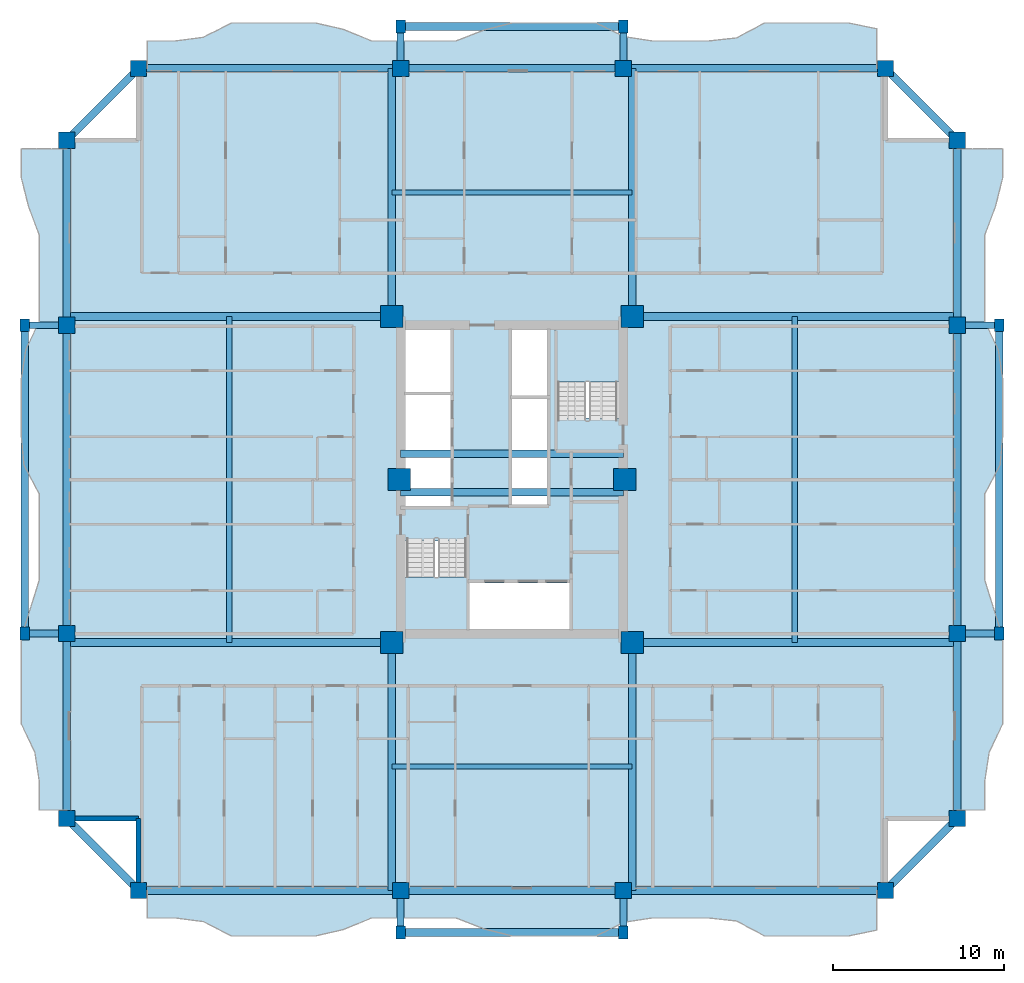
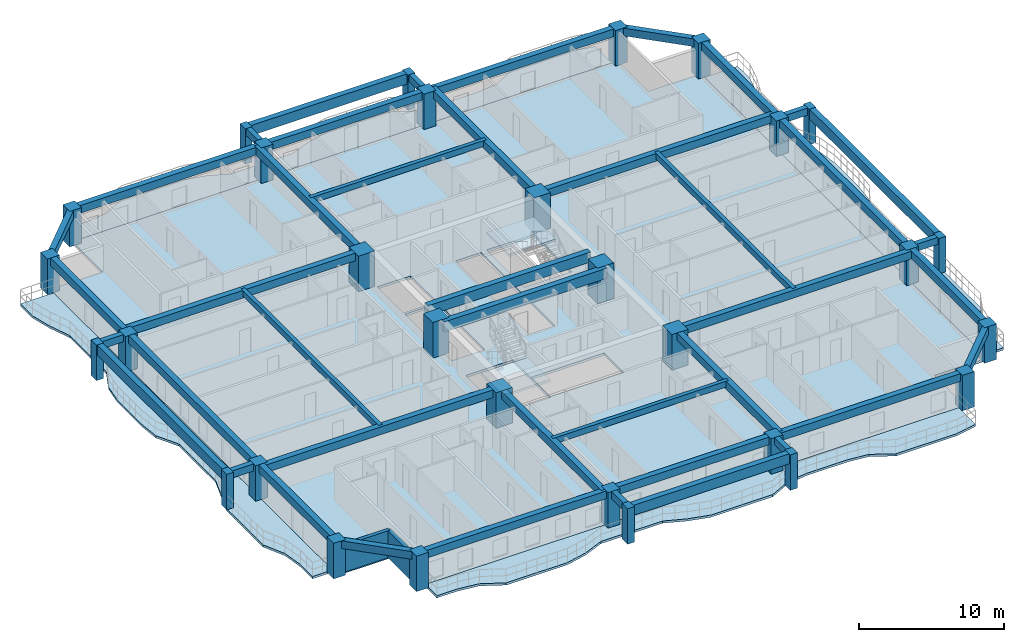
# One storey, part 1 of 13: 42 beams, 30 columns, 7 slabs, 2 walls, 2 elements without a shape of their own.
"""IFC4 building model written with IfcOpenShell, lengths in metres."""

from ifc_helpers import new_model, si_unit, direction, frame, frame_2d, origin, origin_2d, place, context, subcontext, project, spatial, polyline, rectangle, outline, extrude, source, transform, mapped, material, layer, layer_set, material_profile, profile_set, type_object, element, aggregate, save


model = new_model("IFC4")

# Units and contexts
model_context = context("Model", 3, precision=1e-05, world=origin(), true_north=direction((0.0, 1.0)))
body_context = subcontext(model_context, "Body", "Model", "MODEL_VIEW")
ifc_project = project(units=[si_unit("LENGTHUNIT", "METRE"), si_unit("AREAUNIT", "SQUARE_METRE"), si_unit("VOLUMEUNIT", "CUBIC_METRE"), si_unit("PLANEANGLEUNIT", "RADIAN"), si_unit("MASSUNIT", "GRAM", prefix="KILO")], contexts=[model_context])

# Site, building, storey
site_placement = place(None, origin())
site = spatial("IfcSite", under=ifc_project, at=site_placement, CompositionType="ELEMENT")
building_placement = place(site_placement, origin())
building = spatial("IfcBuilding", under=site, at=building_placement, Name="Saelheon Loggia Tower", CompositionType="ELEMENT")
storey_placement = place(building_placement, frame((0.0, 0.0, 83.85009765625)))
storey = spatial("IfcBuildingStorey", under=building, at=storey_placement, Name="L26", CompositionType="ELEMENT", Elevation=83.85009765625)

# Columns
ifc_material_1 = material(Name="Precast Concrete C45/55", Category="concrete")
ifc_material_profile_1 = material_profile(ifc_material_1, rectangle(XDim=0.550048828125, YDim=0.75, at=origin_2d()), Name="RC-550x750")
ifc_profile_set_1 = profile_set([ifc_material_profile_1], Name="Precast Concrete C45/55")
column_type_1 = type_object("IfcColumnType", Name="Col_Loggia_Pilaster_750", PredefinedType="PILASTER", material=ifc_profile_set_1)
shared_shape_1 = source(origin(), body_context, "Body", "SweptSolid", [
    extrude(rectangle(XDim=0.550048828125, YDim=0.75, at=origin_2d()), origin(), (0.0, 0.0, 1.0), 3.0),
])
for number, where, z_axis, x_axis, name in (
    (1, (31.5, 0.550048828125, 0.0), (0.0, 0.0, 1.0), (1.0, 0.0, 0.0), "L26 Loggia Frame Pilaster LP-S1"),
    (2, (44.5, 0.550048828125, 0.0), (0.0, 0.0, 1.0), (1.0, 0.0, 0.0), "L26 Loggia Frame Pilaster LP-S2"),
    (3, (31.5, 53.449951171875, 0.0), (0.0, 0.0, 1.0), (1.0, 0.0, 0.0), "L26 Loggia Frame Pilaster LP-N1"),
    (4, (44.5, 53.449951171875, 0.0), (0.0, 0.0, 1.0), (1.0, 0.0, 0.0), "L26 Loggia Frame Pilaster LP-N2"),
    (5, (66.449951171875, 18.0, 0.0), (0.0, 0.0, 1.0), (1.0, 0.0, 0.0), "L26 Loggia Frame Pilaster LP-E1"),
    (6, (66.449951171875, 36.0, 0.0), (0.0, 0.0, 1.0), (1.0, 0.0, 0.0), "L26 Loggia Frame Pilaster LP-E2"),
    (7, (9.550048828125, 18.0, 0.0), (0.0, 0.0, 1.0), (1.0, 0.0, 0.0), "L26 Loggia Frame Pilaster LP-W1"),
    (8, (9.550048828125, 36.0, 0.0), (0.0, 0.0, 1.0), (1.0, 0.0, 0.0), "L26 Loggia Frame Pilaster LP-W2"),
):
    element("IfcColumn", number, at=place(storey_placement, frame(where, z_axis=z_axis, x_axis=x_axis)), inside=storey, type_object=column_type_1, Name=name, PredefinedType="PILASTER", context=body_context, shape_type="MappedRepresentation", body=[
        mapped(shared_shape_1, transform((0.0, 0.0, 0.0), scale=1.0)),
    ])
ifc_material_2 = material(Name="Concrete C60/75", Category="concrete")
ifc_material_profile_2 = material_profile(ifc_material_2, rectangle(XDim=1.300048828125, YDim=1.300048828125, at=origin_2d()), Name="RC-1300x1300")
ifc_profile_set_2 = profile_set([ifc_material_profile_2], Name="Concrete C60/75")
column_type_2 = type_object("IfcColumnType", Name="Col_Core_RC1300", PredefinedType="COLUMN", material=ifc_profile_set_2)
shared_shape_2 = source(origin(), body_context, "Body", "SweptSolid", [
    extrude(rectangle(XDim=1.300048828125, YDim=1.300048828125, at=origin_2d()), origin(), (0.0, 0.0, 1.0), 3.0),
])
for number, where, z_axis, x_axis, name in (
    (9, (30.97998046875, 17.47998046875, 0.0), (0.0, 0.0, 1.0), (1.0, 0.0, 0.0), "L26 Core Column CR-SW"),
    (10, (45.02001953125, 17.47998046875, 0.0), (0.0, 0.0, 1.0), (1.0, 0.0, 0.0), "L26 Core Column CR-SE"),
    (11, (30.97998046875, 36.52001953125, 0.0), (0.0, 0.0, 1.0), (1.0, 0.0, 0.0), "L26 Core Column CR-NW"),
    (12, (45.02001953125, 36.52001953125, 0.0), (0.0, 0.0, 1.0), (1.0, 0.0, 0.0), "L26 Core Column CR-NE"),
    (13, (31.419921875, 27.0, 0.0), (0.0, 0.0, 1.0), (1.0, 0.0, 0.0), "L26 Core Column CR-MW"),
    (14, (44.580078125, 27.0, 0.0), (0.0, 0.0, 1.0), (1.0, 0.0, 0.0), "L26 Core Column CR-ME"),
):
    element("IfcColumn", number, at=place(storey_placement, frame(where, z_axis=z_axis, x_axis=x_axis)), inside=storey, type_object=column_type_2, Name=name, PredefinedType="COLUMN", context=body_context, shape_type="MappedRepresentation", body=[
        mapped(shared_shape_2, transform((0.0, 0.0, 0.0), scale=1.0)),
    ])
ifc_material_3 = material(Name="Concrete C50/60", Category="concrete")
ifc_material_profile_3 = material_profile(ifc_material_3, rectangle(XDim=0.949951171875, YDim=0.949951171875, at=origin_2d()), Name="RC-950x950")
ifc_profile_set_3 = profile_set([ifc_material_profile_3], Name="Concrete C50/60")
column_type_3 = type_object("IfcColumnType", Name="Col_Perim_RC950", PredefinedType="COLUMN", material=ifc_profile_set_3)
shared_shape_3 = source(origin(), body_context, "Body", "SweptSolid", [
    extrude(rectangle(XDim=0.949951171875, YDim=0.949951171875, at=origin_2d()), origin(), (0.0, 0.0, 1.0), 3.0),
])
for number, where, z_axis, x_axis, name in (
    (15, (16.199951171875, 3.0, 0.0), (0.0, 0.0, 1.0), (1.0, 0.0, 0.0), "L26 Perimeter Column TP-S1"),
    (16, (31.5, 3.0, 0.0), (0.0, 0.0, 1.0), (1.0, 0.0, 0.0), "L26 Perimeter Column TP-SA"),
    (17, (44.5, 3.0, 0.0), (0.0, 0.0, 1.0), (1.0, 0.0, 0.0), "L26 Perimeter Column TP-SB"),
    (18, (59.800048828125, 3.0, 0.0), (0.0, 0.0, 1.0), (1.0, 0.0, 0.0), "L26 Perimeter Column TP-S2"),
    (19, (64.0, 7.199951171875, 0.0), (0.0, 0.0, 1.0), (1.0, 0.0, 0.0), "L26 Perimeter Column TP-E1"),
    (20, (64.0, 18.0, 0.0), (0.0, 0.0, 1.0), (1.0, 0.0, 0.0), "L26 Perimeter Column TP-EA"),
    (21, (64.0, 36.0, 0.0), (0.0, 0.0, 1.0), (1.0, 0.0, 0.0), "L26 Perimeter Column TP-EB"),
    (22, (64.0, 46.800048828125, 0.0), (0.0, 0.0, 1.0), (1.0, 0.0, 0.0), "L26 Perimeter Column TP-E2"),
    (23, (59.800048828125, 51.0, 0.0), (0.0, 0.0, 1.0), (1.0, 0.0, 0.0), "L26 Perimeter Column TP-N2"),
    (24, (44.5, 51.0, 0.0), (0.0, 0.0, 1.0), (1.0, 0.0, 0.0), "L26 Perimeter Column TP-NB"),
    (25, (31.5, 51.0, 0.0), (0.0, 0.0, 1.0), (1.0, 0.0, 0.0), "L26 Perimeter Column TP-NA"),
    (26, (16.199951171875, 51.0, 0.0), (0.0, 0.0, 1.0), (1.0, 0.0, 0.0), "L26 Perimeter Column TP-N1"),
    (27, (12.0, 46.800048828125, 0.0), (0.0, 0.0, 1.0), (1.0, 0.0, 0.0), "L26 Perimeter Column TP-W2"),
    (28, (12.0, 36.0, 0.0), (0.0, 0.0, 1.0), (1.0, 0.0, 0.0), "L26 Perimeter Column TP-WB"),
    (29, (12.0, 18.0, 0.0), (0.0, 0.0, 1.0), (1.0, 0.0, 0.0), "L26 Perimeter Column TP-WA"),
    (30, (12.0, 7.199951171875, 0.0), (0.0, 0.0, 1.0), (1.0, 0.0, 0.0), "L26 Perimeter Column TP-W1"),
):
    element("IfcColumn", number, at=place(storey_placement, frame(where, z_axis=z_axis, x_axis=x_axis)), inside=storey, type_object=column_type_3, Name=name, PredefinedType="COLUMN", context=body_context, shape_type="MappedRepresentation", body=[
        mapped(shared_shape_3, transform((0.0, 0.0, 0.0), scale=1.0)),
    ])

# Beams
ifc_material_profile_4 = material_profile(ifc_material_3, rectangle(XDim=0.449951171875, YDim=0.85009765625, at=origin_2d()), Name="RC-450x850")
ifc_profile_set_4 = profile_set([ifc_material_profile_4], Name="Concrete C50/60")
beam_type_1 = type_object("IfcBeamType", Name="Beam_CoreLintel_RC450x850", PredefinedType="LINTEL", material=ifc_profile_set_4)
shared_shape_4 = source(origin(), body_context, "Body", "SweptSolid", [
    extrude(rectangle(XDim=0.449951171875, YDim=0.85009765625, at=origin_2d()), origin(), (0.0, 0.0, 1.0), 13.0),
])
for number, where, z_axis, x_axis, name in (
    (31, (31.5, 26.25, 2.574951171875), (1.0, 0.0, 0.0), (0.0, 1.0, 0.0), "L26 Core Coupling Lintel 1"),
    (32, (31.5, 28.5, 2.574951171875), (1.0, 0.0, 0.0), (0.0, 1.0, 0.0), "L26 Core Coupling Lintel 2"),
):
    element("IfcBeam", number, at=place(storey_placement, frame(where, z_axis=z_axis, x_axis=x_axis)), inside=storey, type_object=beam_type_1, Name=name, PredefinedType="LINTEL", context=body_context, shape_type="MappedRepresentation", body=[
        mapped(shared_shape_4, transform((0.0, 0.0, 0.0), scale=1.0)),
    ])
ifc_material_profile_5 = material_profile(ifc_material_1, rectangle(XDim=0.449951171875, YDim=0.85009765625, at=origin_2d()), Name="RC-450x850")
ifc_profile_set_5 = profile_set([ifc_material_profile_5], Name="Precast Concrete C45/55")
beam_type_2 = type_object("IfcBeamType", Name="Beam_LoggiaSpandrel_RC450x850", PredefinedType="SPANDREL", material=ifc_profile_set_5)
for number, where, z_axis, x_axis, name in (
    (33, (31.5, 0.550048828125, 2.574951171875), (1.0, 0.0, 0.0), (0.0, 1.0, 0.0), "L26 Loggia Spandrel Beam S"),
    (34, (31.5, 53.449951171875, 2.574951171875), (1.0, 0.0, 0.0), (0.0, 1.0, 0.0), "L26 Loggia Spandrel Beam N"),
):
    element("IfcBeam", number, at=place(storey_placement, frame(where, z_axis=z_axis, x_axis=x_axis)), inside=storey, type_object=beam_type_2, Name=name, PredefinedType="SPANDREL", context=body_context, shape_type="MappedRepresentation", body=[
        mapped(shared_shape_4, transform((0.0, 0.0, 0.0), scale=1.0)),
    ])
ifc_material_profile_6 = material_profile(ifc_material_1, rectangle(XDim=0.39990234375, YDim=0.60009765625, at=origin_2d()), Name="RC-400x600")
ifc_profile_set_6 = profile_set([ifc_material_profile_6], Name="Precast Concrete C45/55")
beam_type_3 = type_object("IfcBeamType", Name="Beam_LoggiaTie_RC400x600", PredefinedType="BEAM", material=ifc_profile_set_6)
shared_shape_5 = source(origin(), body_context, "Body", "SweptSolid", [
    extrude(rectangle(XDim=0.39990234375, YDim=0.60009765625, at=origin_2d()), origin(), (0.0, 0.0, 1.0), 2.449951171875),
])
for number, where, z_axis, x_axis, name in (
    (35, (31.5, 3.0, 2.699951171875), (0.0, -1.0, 0.0), (1.0, 0.0, 0.0), "L26 Loggia Frame Tie Beam LP-S1"),
    (36, (44.5, 3.0, 2.699951171875), (0.0, -1.0, 0.0), (1.0, 0.0, 0.0), "L26 Loggia Frame Tie Beam LP-S2"),
    (37, (31.5, 51.0, 2.699951171875), (0.0, 1.0, 0.0), (-1.0, 0.0, 0.0), "L26 Loggia Frame Tie Beam LP-N1"),
    (38, (44.5, 51.0, 2.699951171875), (0.0, 1.0, 0.0), (-1.0, 0.0, 0.0), "L26 Loggia Frame Tie Beam LP-N2"),
    (39, (64.0, 18.0, 2.699951171875), (1.0, 0.0, 0.0), (0.0, 1.0, 0.0), "L26 Loggia Frame Tie Beam LP-E1"),
    (40, (64.0, 36.0, 2.699951171875), (1.0, 0.0, 0.0), (0.0, 1.0, 0.0), "L26 Loggia Frame Tie Beam LP-E2"),
    (41, (12.0, 18.0, 2.699951171875), (-1.0, 0.0, 0.0), (0.0, -1.0, 0.0), "L26 Loggia Frame Tie Beam LP-W1"),
    (42, (12.0, 36.0, 2.699951171875), (-1.0, 0.0, 0.0), (0.0, -1.0, 0.0), "L26 Loggia Frame Tie Beam LP-W2"),
):
    element("IfcBeam", number, at=place(storey_placement, frame(where, z_axis=z_axis, x_axis=x_axis)), inside=storey, type_object=beam_type_3, Name=name, PredefinedType="BEAM", context=body_context, shape_type="MappedRepresentation", body=[
        mapped(shared_shape_5, transform((0.0, 0.0, 0.0), scale=1.0)),
    ])
shared_shape_6 = source(origin(), body_context, "Body", "SweptSolid", [
    extrude(rectangle(XDim=0.449951171875, YDim=0.85009765625, at=origin_2d()), origin(), (0.0, 0.0, 1.0), 18.0),
])
for number, where, z_axis, x_axis, name in (
    (43, (66.449951171875, 18.0, 2.574951171875), (0.0, 1.0, 0.0), (-1.0, 0.0, 0.0), "L26 Loggia Spandrel Beam E"),
    (44, (9.550048828125, 18.0, 2.574951171875), (0.0, 1.0, 0.0), (-1.0, 0.0, 0.0), "L26 Loggia Spandrel Beam W"),
):
    element("IfcBeam", number, at=place(storey_placement, frame(where, z_axis=z_axis, x_axis=x_axis)), inside=storey, type_object=beam_type_2, Name=name, PredefinedType="SPANDREL", context=body_context, shape_type="MappedRepresentation", body=[
        mapped(shared_shape_6, transform((0.0, 0.0, 0.0), scale=1.0)),
    ])
ifc_material_4 = material(Name="Concrete C40/50", Category="concrete")
ifc_material_profile_7 = material_profile(ifc_material_4, rectangle(XDim=0.449951171875, YDim=0.64990234375, at=origin_2d()), Name="RC-450x650")
ifc_profile_set_7 = profile_set([ifc_material_profile_7], Name="Concrete C40/50")
beam_type_4 = type_object("IfcBeamType", Name="Beam_PerimTower_RC450x650", PredefinedType="BEAM", material=ifc_profile_set_7)
shared_shape_7 = source(origin(), body_context, "Body", "SweptSolid", [
    extrude(rectangle(XDim=0.449951171875, YDim=0.64990234375, at=origin_2d()), origin(), (0.0, 0.0, 1.0), 15.300048828125),
])
for number, where, z_axis, x_axis, name in (
    (45, (16.199951171875, 3.0, 2.6748046875), (1.0, 0.0, 0.0), (0.0, 1.0, 0.0), "L26 Perimeter Frame Girder 01"),
    (46, (44.5, 3.0, 2.6748046875), (1.0, 0.0, 0.0), (0.0, 1.0, 0.0), "L26 Perimeter Frame Girder 03"),
    (47, (59.800048828125, 51.0, 2.6748046875), (-1.0, 0.0, 0.0), (0.0, -1.0, 0.0), "L26 Perimeter Frame Girder 09"),
    (48, (31.5, 51.0, 2.6748046875), (-1.0, 0.0, 0.0), (0.0, -1.0, 0.0), "L26 Perimeter Frame Girder 11"),
):
    element("IfcBeam", number, at=place(storey_placement, frame(where, z_axis=z_axis, x_axis=x_axis)), inside=storey, type_object=beam_type_4, Name=name, PredefinedType="BEAM", context=body_context, shape_type="MappedRepresentation", body=[
        mapped(shared_shape_7, transform((0.0, 0.0, 0.0), scale=1.0)),
    ])
shared_shape_8 = source(origin(), body_context, "Body", "SweptSolid", [
    extrude(rectangle(XDim=0.449951171875, YDim=0.64990234375, at=origin_2d()), origin(), (0.0, 0.0, 1.0), 13.0),
])
for number, where, z_axis, x_axis, name in (
    (49, (31.5, 3.0, 2.6748046875), (1.0, 0.0, 0.0), (0.0, 1.0, 0.0), "L26 Perimeter Frame Girder 02"),
    (50, (44.5, 51.0, 2.6748046875), (-1.0, 0.0, 0.0), (0.0, -1.0, 0.0), "L26 Perimeter Frame Girder 10"),
):
    element("IfcBeam", number, at=place(storey_placement, frame(where, z_axis=z_axis, x_axis=x_axis)), inside=storey, type_object=beam_type_4, Name=name, PredefinedType="BEAM", context=body_context, shape_type="MappedRepresentation", body=[
        mapped(shared_shape_8, transform((0.0, 0.0, 0.0), scale=1.0)),
    ])
shared_shape_9 = source(origin(), body_context, "Body", "SweptSolid", [
    extrude(rectangle(XDim=0.449951171875, YDim=0.64990234375, at=origin_2d()), origin(), (0.0, 0.0, 1.0), 5.939697265625),
])
for number, where, z_axis, x_axis, name in (
    (51, (59.800048828125, 3.0, 2.6748046875), (0.707106781187, 0.707106781187, 0.0), (-0.707106781187, 0.707106781187, 0.0), "L26 Perimeter Frame Girder 04"),
    (52, (64.0, 46.800048828125, 2.6748046875), (-0.707106781187, 0.707106781187, 0.0), (-0.707106781187, -0.707106781187, 0.0), "L26 Perimeter Frame Girder 08"),
    (53, (16.199951171875, 51.0, 2.6748046875), (-0.707106781187, -0.707106781187, 0.0), (0.707106781187, -0.707106781187, 0.0), "L26 Perimeter Frame Girder 12"),
    (54, (12.0, 7.199951171875, 2.6748046875), (0.707106781187, -0.707106781187, 0.0), (0.707106781187, 0.707106781187, 0.0), "L26 Perimeter Frame Girder 16"),
):
    element("IfcBeam", number, at=place(storey_placement, frame(where, z_axis=z_axis, x_axis=x_axis)), inside=storey, type_object=beam_type_4, Name=name, PredefinedType="BEAM", context=body_context, shape_type="MappedRepresentation", body=[
        mapped(shared_shape_9, transform((0.0, 0.0, 0.0), scale=1.0)),
    ])
shared_shape_10 = source(origin(), body_context, "Body", "SweptSolid", [
    extrude(rectangle(XDim=0.449951171875, YDim=0.64990234375, at=origin_2d()), origin(), (0.0, 0.0, 1.0), 10.800048828125),
])
for number, where, z_axis, x_axis, name in (
    (55, (64.0, 7.199951171875, 2.6748046875), (0.0, 1.0, 0.0), (-1.0, 0.0, 0.0), "L26 Perimeter Frame Girder 05"),
    (56, (64.0, 36.0, 2.6748046875), (0.0, 1.0, 0.0), (-1.0, 0.0, 0.0), "L26 Perimeter Frame Girder 07"),
    (57, (12.0, 46.800048828125, 2.6748046875), (0.0, -1.0, 0.0), (1.0, 0.0, 0.0), "L26 Perimeter Frame Girder 13"),
    (58, (12.0, 18.0, 2.6748046875), (0.0, -1.0, 0.0), (1.0, 0.0, 0.0), "L26 Perimeter Frame Girder 15"),
):
    element("IfcBeam", number, at=place(storey_placement, frame(where, z_axis=z_axis, x_axis=x_axis)), inside=storey, type_object=beam_type_4, Name=name, PredefinedType="BEAM", context=body_context, shape_type="MappedRepresentation", body=[
        mapped(shared_shape_10, transform((0.0, 0.0, 0.0), scale=1.0)),
    ])
shared_shape_11 = source(origin(), body_context, "Body", "SweptSolid", [
    extrude(rectangle(XDim=0.449951171875, YDim=0.64990234375, at=origin_2d()), origin(), (0.0, 0.0, 1.0), 18.0),
])
for number, where, z_axis, x_axis, name in (
    (59, (64.0, 18.0, 2.6748046875), (0.0, 1.0, 0.0), (-1.0, 0.0, 0.0), "L26 Perimeter Frame Girder 06"),
    (60, (12.0, 36.0, 2.6748046875), (0.0, -1.0, 0.0), (1.0, 0.0, 0.0), "L26 Perimeter Frame Girder 14"),
):
    element("IfcBeam", number, at=place(storey_placement, frame(where, z_axis=z_axis, x_axis=x_axis)), inside=storey, type_object=beam_type_4, Name=name, PredefinedType="BEAM", context=body_context, shape_type="MappedRepresentation", body=[
        mapped(shared_shape_11, transform((0.0, 0.0, 0.0), scale=1.0)),
    ])
ifc_material_profile_8 = material_profile(ifc_material_4, rectangle(XDim=0.449951171875, YDim=0.64990234375, at=origin_2d()), Name="RC-450x650")
ifc_profile_set_8 = profile_set([ifc_material_profile_8], Name="Concrete C40/50")
beam_type_5 = type_object("IfcBeamType", Name="Beam_TowerGirder_RC450x650", PredefinedType="BEAM", material=ifc_profile_set_8)
shared_shape_12 = source(origin(), body_context, "Body", "SweptSolid", [
    extrude(rectangle(XDim=0.449951171875, YDim=0.64990234375, at=origin_2d()), origin(), (0.0, 0.0, 1.0), 14.47998046875),
])
for number, where, z_axis, x_axis, name in (
    (61, (30.97998046875, 17.47998046875, 2.6748046875), (0.0, -1.0, 0.0), (1.0, 0.0, 0.0), "L26 Radial Floor Girder RAD-SW-S"),
    (62, (45.02001953125, 17.47998046875, 2.6748046875), (0.0, -1.0, 0.0), (1.0, 0.0, 0.0), "L26 Radial Floor Girder RAD-SE-S"),
    (63, (30.97998046875, 36.52001953125, 2.6748046875), (0.0, 1.0, 0.0), (-1.0, 0.0, 0.0), "L26 Radial Floor Girder RAD-NW-N"),
    (64, (45.02001953125, 36.52001953125, 2.6748046875), (0.0, 1.0, 0.0), (-1.0, 0.0, 0.0), "L26 Radial Floor Girder RAD-NE-N"),
):
    element("IfcBeam", number, at=place(storey_placement, frame(where, z_axis=z_axis, x_axis=x_axis)), inside=storey, type_object=beam_type_5, Name=name, PredefinedType="BEAM", context=body_context, shape_type="MappedRepresentation", body=[
        mapped(shared_shape_12, transform((0.0, 0.0, 0.0), scale=1.0)),
    ])
shared_shape_13 = source(origin(), body_context, "Body", "SweptSolid", [
    extrude(rectangle(XDim=0.449951171875, YDim=0.64990234375, at=origin_2d()), origin(), (0.0, 0.0, 1.0), 18.97998046875),
])
for number, where, z_axis, x_axis, name in (
    (65, (30.97998046875, 17.47998046875, 2.6748046875), (-1.0, 0.0, 0.0), (0.0, -1.0, 0.0), "L26 Radial Floor Girder RAD-SW-W"),
    (66, (30.97998046875, 36.52001953125, 2.6748046875), (-1.0, 0.0, 0.0), (0.0, -1.0, 0.0), "L26 Radial Floor Girder RAD-NW-W"),
    (67, (45.02001953125, 17.47998046875, 2.6748046875), (1.0, 0.0, 0.0), (0.0, 1.0, 0.0), "L26 Radial Floor Girder RAD-SE-E"),
    (68, (45.02001953125, 36.52001953125, 2.6748046875), (1.0, 0.0, 0.0), (0.0, 1.0, 0.0), "L26 Radial Floor Girder RAD-NE-E"),
):
    element("IfcBeam", number, at=place(storey_placement, frame(where, z_axis=z_axis, x_axis=x_axis)), inside=storey, type_object=beam_type_5, Name=name, PredefinedType="BEAM", context=body_context, shape_type="MappedRepresentation", body=[
        mapped(shared_shape_13, transform((0.0, 0.0, 0.0), scale=1.0)),
    ])
ifc_material_profile_9 = material_profile(ifc_material_4, rectangle(XDim=0.300048828125, YDim=0.5, at=origin_2d()), Name="RC-300x500")
ifc_profile_set_9 = profile_set([ifc_material_profile_9], Name="Concrete C40/50")
beam_type_6 = type_object("IfcBeamType", Name="Beam_Joist_RC300x500", PredefinedType="JOIST", material=ifc_profile_set_9)
shared_shape_14 = source(origin(), body_context, "Body", "SweptSolid", [
    extrude(rectangle(XDim=0.300048828125, YDim=0.5, at=origin_2d()), origin(), (0.0, 0.0, 1.0), 14.0400390625),
])
for number, where, z_axis, x_axis, name in (
    (69, (30.97998046875, 10.239990234375, 2.75), (1.0, 0.0, 0.0), (0.0, 1.0, 0.0), "L26 South Floor Joist"),
    (70, (30.97998046875, 43.760009765625, 2.75), (1.0, 0.0, 0.0), (0.0, 1.0, 0.0), "L26 North Floor Joist"),
):
    element("IfcBeam", number, at=place(storey_placement, frame(where, z_axis=z_axis, x_axis=x_axis)), inside=storey, type_object=beam_type_6, Name=name, PredefinedType="JOIST", context=body_context, shape_type="MappedRepresentation", body=[
        mapped(shared_shape_14, transform((0.0, 0.0, 0.0), scale=1.0)),
    ])
shared_shape_15 = source(origin(), body_context, "Body", "SweptSolid", [
    extrude(rectangle(XDim=0.300048828125, YDim=0.5, at=origin_2d()), origin(), (0.0, 0.0, 1.0), 19.0400390625),
])
for number, where, z_axis, x_axis, name in (
    (71, (21.489990234375, 17.47998046875, 2.75), (0.0, 1.0, 0.0), (-1.0, 0.0, 0.0), "L26 West Floor Joist"),
    (72, (54.510009765625, 17.47998046875, 2.75), (0.0, 1.0, 0.0), (-1.0, 0.0, 0.0), "L26 East Floor Joist"),
):
    element("IfcBeam", number, at=place(storey_placement, frame(where, z_axis=z_axis, x_axis=x_axis)), inside=storey, type_object=beam_type_6, Name=name, PredefinedType="JOIST", context=body_context, shape_type="MappedRepresentation", body=[
        mapped(shared_shape_15, transform((0.0, 0.0, 0.0), scale=1.0)),
    ])

# Slabs
ifc_layer_1 = layer(ifc_material_1, 0.18994140625)
ifc_layer_set_1 = layer_set([ifc_layer_1], Name="Precast Concrete C45/55")
slab_type_1 = type_object("IfcSlabType", Name="Slab_Loggia_Ext_190", PredefinedType="FLOOR", material=ifc_layer_set_1)
slab_1_placement = place(storey_placement, frame((0.0, 0.0, -0.190185546875)))
element("IfcSlab", 73, at=slab_1_placement, inside=storey, type_object=slab_type_1, Name="L26 Loggia Balcony Slab S", PredefinedType="FLOOR", context=body_context, shape_type="SweptSolid", body=[
    extrude(outline(polyline([(16.699951171875, 1.39990234375), (18.33837890625, 1.39990234375), (19.976806640625, 1.185302734375), (21.615478515625, 0.35009765625), (23.25390625, 0.35009765625), (24.892333984375, 0.35009765625), (26.53076171875, 0.35009765625), (28.169189453125, 0.724609375), (29.8076171875, 1.39990234375), (31.4462890625, 1.39990234375), (33.084716796875, 1.39990234375), (34.72314453125, 1.39990234375), (36.361572265625, 0.76220703125), (38.0, 0.35009765625), (39.638427734375, 0.35009765625), (41.27685546875, 0.35009765625), (42.915283203125, 0.35009765625), (44.5537109375, 1.148681640625), (46.1923828125, 1.39990234375), (47.830810546875, 1.39990234375), (49.46923828125, 1.39990234375), (51.107666015625, 1.2216796875), (52.74609375, 0.35009765625), (54.384521484375, 0.35009765625), (56.023193359375, 0.35009765625), (57.66162109375, 0.35009765625), (59.300048828125, 0.687255859375), (59.300048828125, 3.0), (16.699951171875, 3.0), (16.699951171875, 1.39990234375)])), origin(), (0.0, 0.0, 1.0), 0.190185546875),
])
slab_2_placement = place(storey_placement, frame((0.0, 0.0, -0.190185546875)))
element("IfcSlab", 74, at=slab_2_placement, inside=storey, type_object=slab_type_1, Name="L26 Loggia Balcony Slab N", PredefinedType="FLOOR", context=body_context, shape_type="SweptSolid", body=[
    extrude(outline(polyline([(16.699951171875, 51.0), (59.300048828125, 51.0), (59.300048828125, 53.312744140625), (57.66162109375, 53.64990234375), (56.023193359375, 53.64990234375), (54.384521484375, 53.64990234375), (52.74609375, 53.64990234375), (51.107666015625, 52.7783203125), (49.46923828125, 52.60009765625), (47.830810546875, 52.60009765625), (46.1923828125, 52.60009765625), (44.5537109375, 52.851318359375), (42.915283203125, 53.64990234375), (41.27685546875, 53.64990234375), (39.638427734375, 53.64990234375), (38.0, 53.64990234375), (36.361572265625, 53.23779296875), (34.72314453125, 52.60009765625), (33.084716796875, 52.60009765625), (31.4462890625, 52.60009765625), (29.8076171875, 52.60009765625), (28.169189453125, 53.275390625), (26.53076171875, 53.64990234375), (24.892333984375, 53.64990234375), (23.25390625, 53.64990234375), (21.615478515625, 53.64990234375), (19.976806640625, 52.814697265625), (18.33837890625, 52.60009765625), (16.699951171875, 52.60009765625), (16.699951171875, 51.0)])), origin(), (0.0, 0.0, 1.0), 0.190185546875),
])
slab_3_placement = place(storey_placement, frame((0.0, 0.0, -0.190185546875)))
element("IfcSlab", 75, at=slab_3_placement, inside=storey, type_object=slab_type_1, Name="L26 Loggia Balcony Slab E", PredefinedType="FLOOR", context=body_context, shape_type="SweptSolid", body=[
    extrude(outline(polyline([(64.0, 7.699951171875), (65.60009765625, 7.699951171875), (65.60009765625, 9.37841796875), (65.856689453125, 11.056396484375), (66.64990234375, 12.73486328125), (66.64990234375, 14.4130859375), (66.64990234375, 16.09130859375), (66.64990234375, 17.76953125), (66.1240234375, 19.44775390625), (65.60009765625, 21.126220703125), (65.60009765625, 22.80419921875), (65.60009765625, 24.482666015625), (65.601318359375, 26.160888671875), (66.49365234375, 27.839111328125), (66.64990234375, 29.517333984375), (66.64990234375, 31.19580078125), (66.64990234375, 32.873779296875), (66.39208984375, 34.55224609375), (65.60009765625, 36.23046875), (65.60009765625, 37.90869140625), (65.60009765625, 39.5869140625), (65.60009765625, 41.26513671875), (66.22802734375, 42.943603515625), (66.64990234375, 44.62158203125), (66.64990234375, 46.300048828125), (64.0, 46.300048828125), (64.0, 7.699951171875)])), origin(), (0.0, 0.0, 1.0), 0.190185546875),
])
slab_4_placement = place(storey_placement, frame((0.0, 0.0, -0.190185546875)))
element("IfcSlab", 76, at=slab_4_placement, inside=storey, type_object=slab_type_1, Name="L26 Loggia Balcony Slab W", PredefinedType="FLOOR", context=body_context, shape_type="SweptSolid", body=[
    extrude(outline(polyline([(12.0, 7.699951171875), (12.0, 46.300048828125), (9.35009765625, 46.300048828125), (9.35009765625, 44.62158203125), (9.77197265625, 42.943603515625), (10.39990234375, 41.26513671875), (10.39990234375, 39.5869140625), (10.39990234375, 37.90869140625), (10.39990234375, 36.23046875), (9.60791015625, 34.55224609375), (9.35009765625, 32.873779296875), (9.35009765625, 31.19580078125), (9.35009765625, 29.517333984375), (9.50634765625, 27.839111328125), (10.398681640625, 26.160888671875), (10.39990234375, 24.482666015625), (10.39990234375, 22.80419921875), (10.39990234375, 21.126220703125), (9.8759765625, 19.44775390625), (9.35009765625, 17.76953125), (9.35009765625, 16.09130859375), (9.35009765625, 14.4130859375), (9.35009765625, 12.73486328125), (10.143310546875, 11.056396484375), (10.39990234375, 9.37841796875), (10.39990234375, 7.699951171875), (12.0, 7.699951171875)])), origin(), (0.0, 0.0, 1.0), 0.190185546875),
])

# Stair, slab
stair_type = type_object("IfcStairType", Name="Stair_Escape_Core", PredefinedType="HALF_TURN_STAIR", material=ifc_material_4)
stair_1_placement = place(storey_placement, origin())
stair_1 = element("IfcStair", 77, at=stair_1_placement, inside=storey, type_object=stair_type, Name="L26 Special Escape Stair ST1", PredefinedType="HALF_TURN_STAIR")
ifc_layer_2 = layer(ifc_material_4, 0.199951171875)
ifc_layer_set_2 = layer_set([ifc_layer_2], Name="Concrete C40/50")
slab_type_2 = type_object("IfcSlabType", Name="Slab_StairLanding_ST1", PredefinedType="LANDING", material=ifc_layer_set_2)
slab_5_placement = place(storey_placement, frame((0.0, 0.0, 1.2998046875)))
slab_5 = element("IfcSlab", 78, at=slab_5_placement, type_object=slab_type_2, Name="ST1 landing 1", PredefinedType="LANDING", context=body_context, shape_type="SweptSolid", body=[
    extrude(outline(polyline([(31.7099609375, 21.31005859375), (31.7099609375, 18.2099609375), (35.469970703125, 18.2099609375), (35.469970703125, 21.31005859375), (31.7099609375, 21.31005859375)])), origin(), (0.0, 0.0, 1.0), 0.2001953125),
])
aggregate(stair_1, [slab_5])

stair_2_placement = place(storey_placement, origin())
stair_2 = element("IfcStair", 79, at=stair_2_placement, inside=storey, type_object=stair_type, Name="L26 Special Escape Stair ST2", PredefinedType="HALF_TURN_STAIR")
ifc_layer_3 = layer(ifc_material_4, 0.199951171875)
ifc_layer_set_3 = layer_set([ifc_layer_3], Name="Concrete C40/50")
slab_type_3 = type_object("IfcSlabType", Name="Slab_StairLanding_ST2", PredefinedType="LANDING", material=ifc_layer_set_3)
slab_6_placement = place(storey_placement, frame((0.0, 0.0, 1.2998046875)))
slab_6 = element("IfcSlab", 80, at=slab_6_placement, type_object=slab_type_3, Name="ST2 landing 1", PredefinedType="LANDING", context=body_context, shape_type="SweptSolid", body=[
    extrude(outline(polyline([(44.2900390625, 32.68994140625), (44.2900390625, 35.7900390625), (40.530029296875, 35.7900390625), (40.530029296875, 32.68994140625), (44.2900390625, 32.68994140625)])), origin(), (0.0, 0.0, 1.0), 0.2001953125),
])
aggregate(stair_2, [slab_6])

# Slab
ifc_layer_4 = layer(ifc_material_4, 0.2099609375)
ifc_layer_set_4 = layer_set([ifc_layer_4], Name="Concrete C40/50")
slab_type_4 = type_object("IfcSlabType", Name="Slab_Tower_210", PredefinedType="FLOOR", material=ifc_layer_set_4)
slab_7_placement = place(storey_placement, frame((0.0, 0.0, -0.210205078125)))
element("IfcSlab", 81, at=slab_7_placement, inside=storey, type_object=slab_type_4, Name="L26 Tower Floor Slab", PredefinedType="FLOOR", context=body_context, shape_type="SweptSolid", body=[
    extrude(outline(polyline([(16.199951171875, 3.0), (59.800048828125, 3.0), (59.800048828125, 7.199951171875), (64.0, 7.199951171875), (64.0, 46.800048828125), (59.800048828125, 46.800048828125), (59.800048828125, 51.0), (16.199951171875, 51.0), (16.199951171875, 46.800048828125), (12.0, 46.800048828125), (12.0, 7.199951171875), (16.199951171875, 7.199951171875), (16.199951171875, 3.0)]), holes=[polyline([(31.699951171875, 23.409912109375), (31.699951171875, 18.199951171875), (35.47998046875, 18.199951171875), (35.47998046875, 23.409912109375), (31.699951171875, 23.409912109375)]), polyline([(44.300048828125, 30.590087890625), (44.300048828125, 35.800048828125), (40.52001953125, 35.800048828125), (40.52001953125, 30.590087890625), (44.300048828125, 30.590087890625)]), polyline([(35.530029296875, 18.27490234375), (41.35009765625, 18.27490234375), (41.35009765625, 20.9599609375), (35.530029296875, 20.9599609375), (35.530029296875, 18.27490234375)]), polyline([(31.77490234375, 32.1201171875), (34.419921875, 32.1201171875), (34.419921875, 35.72509765625), (31.77490234375, 35.72509765625), (31.77490234375, 32.1201171875)]), polyline([(38.0, 31.89990234375), (40.050048828125, 31.89990234375), (40.050048828125, 35.72509765625), (38.0, 35.72509765625), (38.0, 31.89990234375)]), polyline([(31.77490234375, 25.449951171875), (34.419921875, 25.449951171875), (34.419921875, 31.919921875), (31.77490234375, 31.919921875), (31.77490234375, 25.449951171875)]), polyline([(38.0, 25.5400390625), (40.050048828125, 25.5400390625), (40.050048828125, 31.699951171875), (38.0, 31.699951171875), (38.0, 25.5400390625)])]), origin(), (0.0, 0.0, 1.0), 0.210205078125),
])

# Walls
ifc_material_5 = material(Name="Architectural Precast Concrete C40/50", Category="concrete")
ifc_layer_5 = layer(ifc_material_5, 0.280029296875)
ifc_layer_set_5 = layer_set([ifc_layer_5], Name="Architectural Precast Concrete C40/50")
wall_type = type_object("IfcWallType", Name="Wall_Ext_Loggia_280", PredefinedType="SOLIDWALL", material=ifc_layer_set_5)
for number, where, z_axis, x_axis, name in (
    (82, (16.199951171875, 3.080078125, 0.0), (0.0, 0.0, 1.0), (0.0, 1.0, 0.0), "L26 Corner Notch Precast Wall SW1"),
    (83, (12.080078125, 7.199951171875, 0.0), (0.0, 0.0, 1.0), (1.0, 0.0, 0.0), "L26 Corner Notch Precast Wall SW2"),
):
    element("IfcWall", number, at=place(storey_placement, frame(where, z_axis=z_axis, x_axis=x_axis)), inside=storey, type_object=wall_type, Name=name, PredefinedType="SOLIDWALL", context=body_context, shape_type="SweptSolid", body=[
        extrude(rectangle(XDim=4.119873046875, YDim=0.280029296875, at=frame_2d((2.06005859375, 0.0))), origin(), (0.0, 0.0, 1.0), 2.27978515625),
    ])

save(model, "model.ifc")
